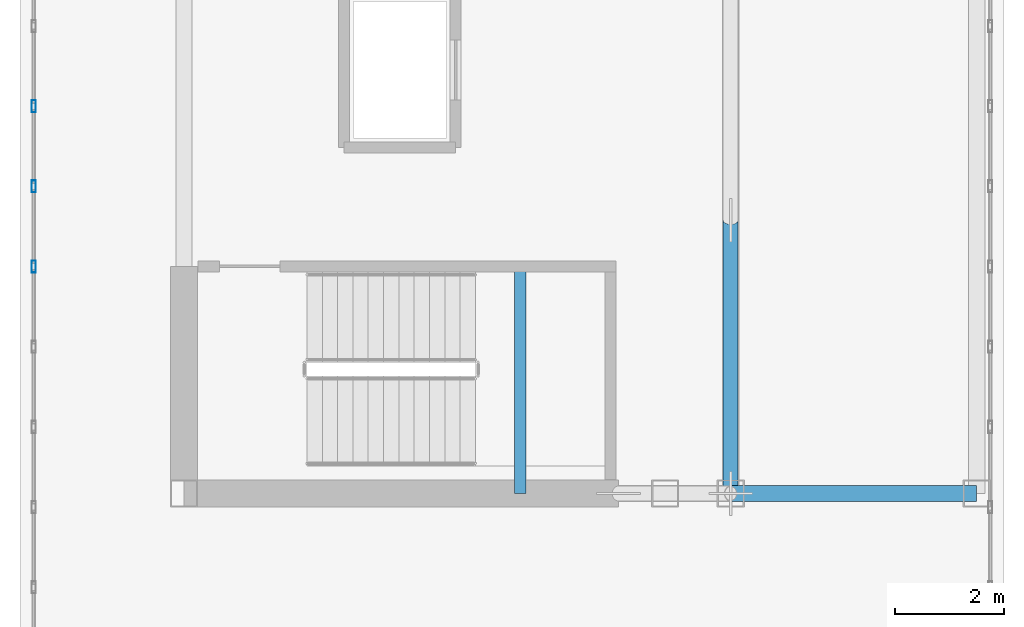
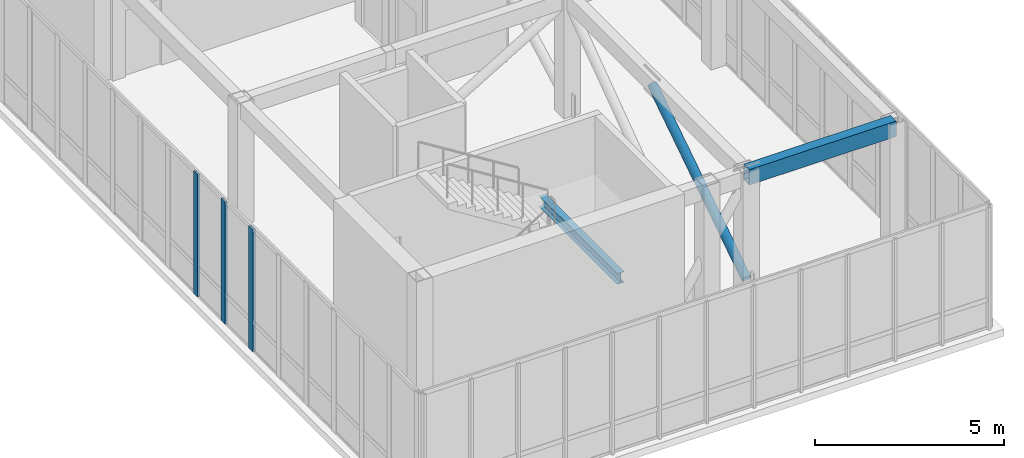
# One storey, part 3 of 13: 4 members, 2 beams, 1 element without a shape of its own.
"""IFC4 building model written with IfcOpenShell, lengths in metres."""

from ifc_helpers import new_model, si_unit, direction, frame, origin, origin_2d, place, context, subcontext, project, spatial, hollow_rectangle, hollow_circle, i_section, extrude, source, transform, mapped, material, layer, layer_set, material_profile, profile_set, type_object, element, aggregate, save


model = new_model("IFC4")

# Units and contexts
model_context = context("Model", 3, precision=1e-05, world=origin(), true_north=direction((0.0, 1.0)))
body_context = subcontext(model_context, "Body", "Model", "MODEL_VIEW")
ifc_project = project(units=[si_unit("LENGTHUNIT", "METRE"), si_unit("AREAUNIT", "SQUARE_METRE"), si_unit("VOLUMEUNIT", "CUBIC_METRE"), si_unit("PLANEANGLEUNIT", "RADIAN"), si_unit("MASSUNIT", "GRAM", prefix="KILO")], contexts=[model_context])

# Site, building, storey
site_placement = place(None, origin())
site = spatial("IfcSite", under=ifc_project, at=site_placement, CompositionType="ELEMENT")
building_placement = place(site_placement, origin())
building = spatial("IfcBuilding", under=site, at=building_placement, Name="Kharzan Plaza Tower", CompositionType="ELEMENT")
storey_placement = place(building_placement, frame((0.0, 0.0, 285.60009765625)))
storey = spatial("IfcBuildingStorey", under=building, at=storey_placement, Name="L77-CROWN", CompositionType="ELEMENT", Elevation=285.60009765625)

# Beams
ifc_material_1 = material(Name="Steel S355", Category="steel")
ifc_material_profile_1 = material_profile(ifc_material_1, i_section(OverallWidth=0.205078125, OverallDepth=0.35400390625, WebThickness=0.009521484375, FlangeThickness=0.016845703125, at=origin_2d()), Name="W360x79")
ifc_profile_set_1 = profile_set([ifc_material_profile_1], Name="Steel S355")
beam_type_1 = type_object("IfcBeamType", Name="BM-LNT360", PredefinedType="LINTEL", material=ifc_profile_set_1)
shared_shape_1 = source(origin(), body_context, "Body", "SweptSolid", [
    extrude(i_section(OverallWidth=0.205078125, OverallDepth=0.35400390625, WebThickness=0.009521484375, FlangeThickness=0.016845703125, at=origin_2d()), origin(), (0.0, 0.0, 1.0), 4.155029296875),
])
beam_1_placement = place(storey_placement, frame((10.64990234375, 8.5, 1.722900390625), z_axis=(0.0, 1.0, 0.0), x_axis=(-1.0, 0.0, 0.0)))
element("IfcBeam", 1, at=beam_1_placement, inside=storey, type_object=beam_type_1, Name="L77-CROWN Stair ST-1 Half-Landing Beam", PredefinedType="LINTEL", context=body_context, shape_type="MappedRepresentation", body=[
    mapped(shared_shape_1, transform((0.0, 0.0, 0.0), x_axis=(1.0, 0.0, 0.0), y_axis=(0.0, 1.0, 0.0), z_axis=(0.0, 0.0, 1.0))),
])
ifc_material_profile_2 = material_profile(ifc_material_1, hollow_rectangle(XDim=0.300048828125, YDim=0.5, WallThickness=0.02001953125, at=origin_2d()), Name="RHS500x300x20")
ifc_profile_set_2 = profile_set([ifc_material_profile_2], Name="Steel S355")
beam_type_2 = type_object("IfcBeamType", Name="BM-CRN500", PredefinedType="BEAM", material=ifc_profile_set_2)
shared_shape_2 = source(origin(), body_context, "Body", "SweptSolid", [
    extrude(hollow_rectangle(XDim=0.300048828125, YDim=0.5, WallThickness=0.02001953125, at=origin_2d()), origin(), (0.0, 0.0, 1.0), 4.5),
])
beam_2_placement = place(storey_placement, frame((14.5, 8.5, 3.719970703125), z_axis=(1.0, 0.0, 0.0), x_axis=(0.0, 1.0, 0.0)))
element("IfcBeam", 2, at=beam_2_placement, inside=storey, type_object=beam_type_2, Name="L77-CROWN CROWN FRAME Lantern Ring Beam CRB-S3", PredefinedType="BEAM", context=body_context, shape_type="MappedRepresentation", body=[
    mapped(shared_shape_2, transform((0.0, 0.0, 0.0), x_axis=(1.0, 0.0, 0.0), y_axis=(0.0, 1.0, 0.0), z_axis=(0.0, 0.0, 1.0))),
])

# Member
ifc_material_profile_3 = material_profile(ifc_material_1, hollow_circle(Radius=0.136474609375, WallThickness=0.010009765625, at=origin_2d()), Name="CHS273x10")
ifc_profile_set_3 = profile_set([ifc_material_profile_3], Name="Steel S355")
member_type_1 = type_object("IfcMemberType", Name="MEM-CRN-DIAG", PredefinedType="BRACE", material=ifc_profile_set_3)
shared_shape_3 = source(origin(), body_context, "Body", "SweptSolid", [
    extrude(hollow_circle(Radius=0.136474609375, WallThickness=0.010009765625, at=origin_2d()), origin(), (0.0, 0.0, 1.0), 5.974365234375),
])
member_1_placement = place(storey_placement, frame((14.5, 8.5, 0.349853515625), z_axis=(0.0, 0.836909137571, 0.547341845148), x_axis=(-1.0, 0.0, 0.0)))
element("IfcMember", 3, at=member_1_placement, inside=storey, type_object=member_type_1, Name="L77-CROWN CROWN FRAME Diagonal Wind Brace CRD-S1", PredefinedType="BRACE", context=body_context, shape_type="MappedRepresentation", body=[
    mapped(shared_shape_3, transform((0.0, 0.0, 0.0), x_axis=(1.0, 0.0, 0.0), y_axis=(0.0, 1.0, 0.0), z_axis=(0.0, 0.0, 1.0))),
])

# Curtain wall, members
ifc_material_2 = material(Name="Unitised Bronze-Anodized Aluminium and Low-E Glass", Category="aluminium")
ifc_layer = layer(ifc_material_2, 0.199951171875)
ifc_layer_set = layer_set([ifc_layer], Name="Unitised Bronze-Anodized Aluminium and Low-E Glass")
curtain_wall_type = type_object("IfcCurtainWallType", Name="CW-LANTERN-6", PredefinedType="NOTDEFINED", material=ifc_layer_set)
curtain_wall_placement = place(storey_placement, origin())
curtain_wall = element("IfcCurtainWall", 4, at=curtain_wall_placement, inside=storey, type_object=curtain_wall_type, Name="L77-CROWN Lantern Crown Illuminated Curtain Wall 4", PredefinedType="NOTDEFINED")
ifc_material_3 = material(Name="Anodized Bronze Aluminium", Category="aluminium")
ifc_material_profile_4 = material_profile(ifc_material_3, hollow_rectangle(XDim=0.074951171875, YDim=0.219970703125, WallThickness=0.00390625, at=origin_2d()), Name="ALU-M220x75x4")
ifc_profile_set_4 = profile_set([ifc_material_profile_4], Name="Anodized Bronze Aluminium")
member_type_2 = type_object("IfcMemberType", Name="MEM-CW-MUL200", PredefinedType="MULLION", material=ifc_profile_set_4)
shared_shape_4 = source(origin(), body_context, "Body", "SweptSolid", [
    extrude(hollow_rectangle(XDim=0.074951171875, YDim=0.219970703125, WallThickness=0.00390625, at=origin_2d()), origin(), (0.0, 0.0, 1.0), 3.969970703125),
])
member_2_placement = place(storey_placement, frame((1.75, 15.583251953125, 0.0), z_axis=(0.0, 0.0, 1.0), x_axis=(1.0, 0.0, 0.0)))
member_2 = element("IfcMember", 5, at=member_2_placement, type_object=member_type_2, Name="L77-CROWN Curtain-Wall Mullion 13", PredefinedType="MULLION", context=body_context, shape_type="MappedRepresentation", body=[
    mapped(shared_shape_4, transform((0.0, 0.0, 0.0), x_axis=(1.0, 0.0, 0.0), y_axis=(0.0, 1.0, 0.0), z_axis=(0.0, 0.0, 1.0))),
])
member_3_placement = place(storey_placement, frame((1.75, 14.11669921875, 0.0), z_axis=(0.0, 0.0, 1.0), x_axis=(1.0, 0.0, 0.0)))
member_3 = element("IfcMember", 6, at=member_3_placement, type_object=member_type_2, Name="L77-CROWN Curtain-Wall Mullion 14", PredefinedType="MULLION", context=body_context, shape_type="MappedRepresentation", body=[
    mapped(shared_shape_4, transform((0.0, 0.0, 0.0), x_axis=(1.0, 0.0, 0.0), y_axis=(0.0, 1.0, 0.0), z_axis=(0.0, 0.0, 1.0))),
])
member_4_placement = place(storey_placement, frame((1.75, 12.64990234375, 0.0), z_axis=(0.0, 0.0, 1.0), x_axis=(1.0, 0.0, 0.0)))
member_4 = element("IfcMember", 7, at=member_4_placement, type_object=member_type_2, Name="L77-CROWN Curtain-Wall Mullion 15", PredefinedType="MULLION", context=body_context, shape_type="MappedRepresentation", body=[
    mapped(shared_shape_4, transform((0.0, 0.0, 0.0), x_axis=(1.0, 0.0, 0.0), y_axis=(0.0, 1.0, 0.0), z_axis=(0.0, 0.0, 1.0))),
])
aggregate(curtain_wall, [member_2, member_3, member_4])

save(model, "model.ifc")
